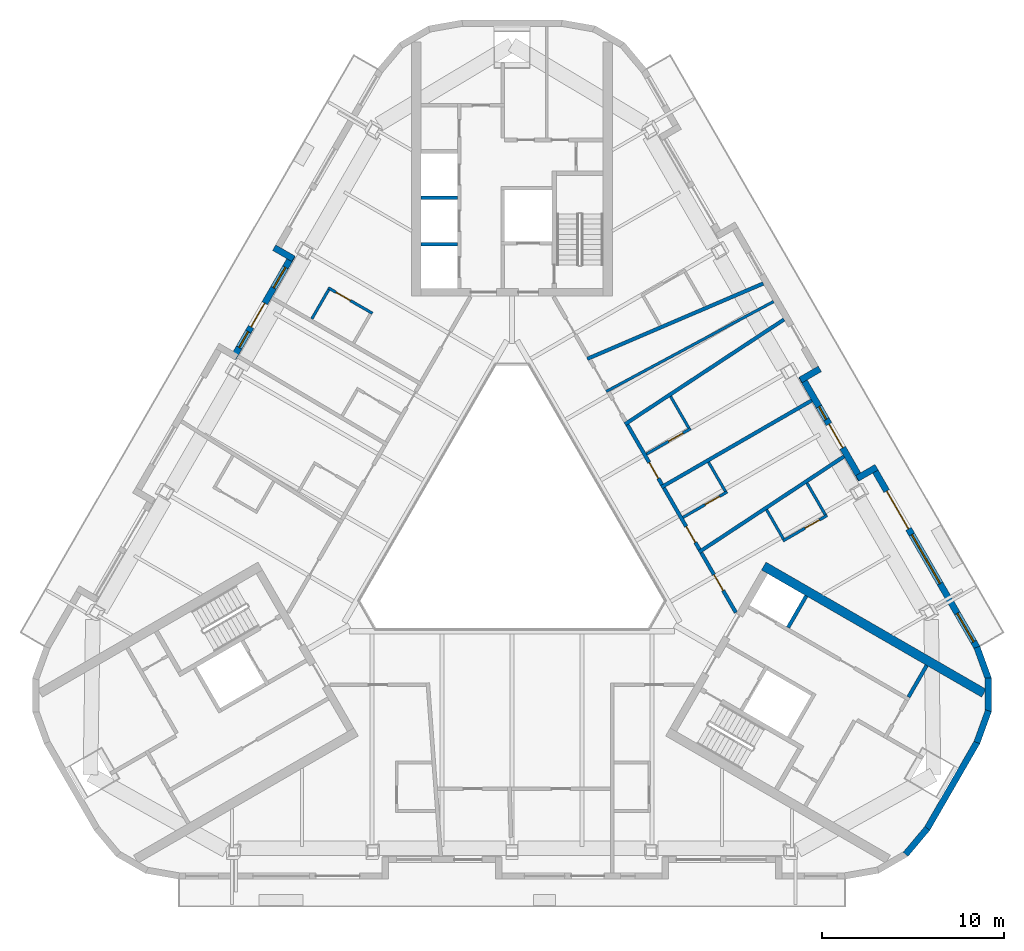
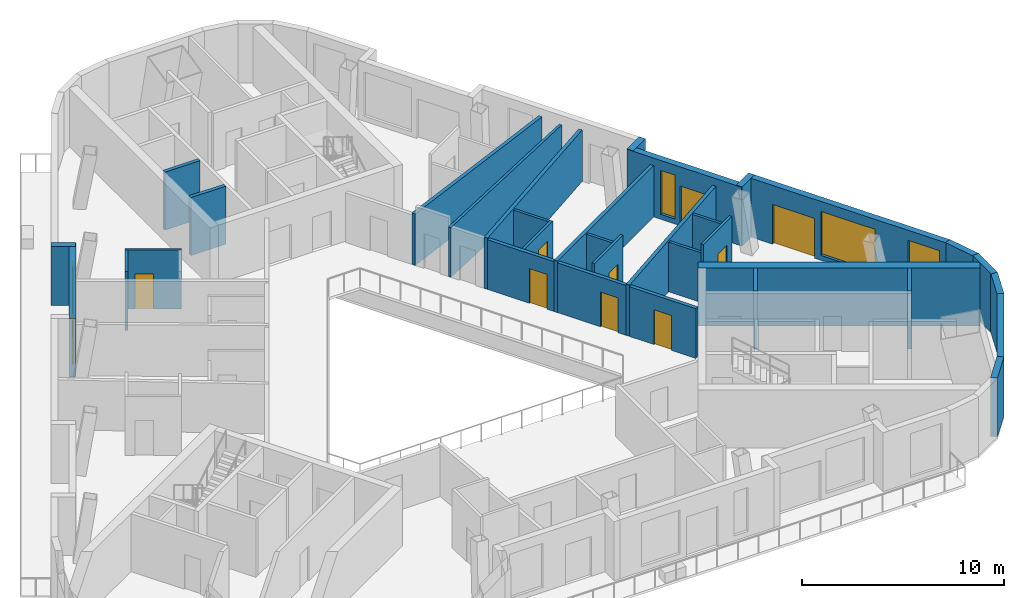
# One storey, part 6 of 14: 33 walls, 10 doors, 5 windows, 15 openings.
"""IFC4 building model written with IfcOpenShell, lengths in metres."""

from ifc_helpers import new_model, si_unit, direction, frame, frame_2d, origin, place, context, subcontext, project, spatial, rectangle, extrude, material, layer, layer_set, type_object, element, fill, save


model = new_model("IFC4")

# Units and contexts
model_context = context("Model", 3, precision=1e-05, world=origin(), true_north=direction((0.0, 1.0)))
body_context = subcontext(model_context, "Body", "Model", "MODEL_VIEW")
ifc_project = project(units=[si_unit("LENGTHUNIT", "METRE"), si_unit("AREAUNIT", "SQUARE_METRE"), si_unit("VOLUMEUNIT", "CUBIC_METRE"), si_unit("PLANEANGLEUNIT", "RADIAN"), si_unit("MASSUNIT", "GRAM", prefix="KILO")], contexts=[model_context])

# Site, building, storey
site_placement = place(None, origin())
site = spatial("IfcSite", under=ifc_project, at=site_placement, CompositionType="ELEMENT")
building_placement = place(site_placement, origin())
building = spatial("IfcBuilding", under=site, at=building_placement, Name="Apuvela Tower Hotel", CompositionType="ELEMENT")
storey_placement = place(building_placement, frame((0.0, 0.0, 265.199951171875)))
storey = spatial("IfcBuildingStorey", under=building, at=storey_placement, Name="L65", CompositionType="ELEMENT", Elevation=265.199951171875)

# Walls
ifc_material_1 = material(Name="Concrete C50/60", Category="concrete")
ifc_layer_1 = layer(ifc_material_1, 0.5)
ifc_layer_set_1 = layer_set([ifc_layer_1], Name="COR-WALL-CORE-500")
wall_type_1 = type_object("IfcWallType", Name="COR-WALL-CORE-500", PredefinedType="SHEAR", material=ifc_layer_set_1)
wall_1_placement = place(storey_placement, frame((13.796630859375, -1.9033203125, 0.0), z_axis=(0.0, 0.0, 1.0), x_axis=(0.86602744543, -0.49999646375, 0.0)))
element("IfcWall", 1, at=wall_1_placement, inside=storey, type_object=wall_type_1, Name="Core wall SE", PredefinedType="SHEAR", context=body_context, shape_type="SweptSolid", body=[
    extrude(rectangle(XDim=13.93408203125, YDim=0.5, at=frame_2d((6.967041015625, 0.0))), origin(), (0.0, 0.0, 1.0), 3.5),
])
ifc_layer_2 = layer(ifc_material_1, 0.199951171875)
ifc_layer_set_2 = layer_set([ifc_layer_2], Name="COR-WALL-SHAFT-200")
wall_type_2 = type_object("IfcWallType", Name="COR-WALL-SHAFT-200", PredefinedType="SHEAR", material=ifc_layer_set_2)
for number, where, z_axis, x_axis, name in (
    (2, (-3.0, 15.739990234375, 0.0), (0.0, 0.0, 1.0), (-1.0, 0.0, 0.0), "Shaft wall N"),
    (3, (-3.0, 18.280029296875, 0.0), (0.0, 0.0, 1.0), (-1.0, 0.0, 0.0), "Shaft wall N"),
    (4, (15.131103515625, -5.27197265625, 0.0), (0.0, 0.0, 1.0), (0.499972520799, 0.866041268327, 0.0), "Shaft wall SE"),
    (5, (21.73046875, -9.081787109375, 0.0), (0.0, 0.0, 1.0), (0.50002537861, 0.866010750942, 0.0), "Shaft wall SE"),
):
    element("IfcWall", number, at=place(storey_placement, frame(where, z_axis=z_axis, x_axis=x_axis)), inside=storey, type_object=wall_type_2, Name=name, PredefinedType="SHEAR", context=body_context, shape_type="SweptSolid", body=[
        extrude(rectangle(XDim=2.0, YDim=0.199951171875, at=frame_2d((1.0, 0.0))), origin(), (0.0, 0.0, 1.0), 3.5),
    ])
ifc_material_2 = material(Name="Concrete C40/50, dark pigmented precast panel", Category="concrete")
ifc_layer_3 = layer(ifc_material_2, 0.35009765625)
ifc_layer_set_3 = layer_set([ifc_layer_3], Name="ENV-WALL-350")
wall_type_3 = type_object("IfcWallType", Name="ENV-WALL-350", PredefinedType="SOLIDWALL", material=ifc_layer_set_3)
wall_2_placement = place(storey_placement, frame((-13.03564453125, 15.547607421875, 0.0), z_axis=(0.0, 0.0, 1.0), x_axis=(0.866005645448, -0.500034220881, 0.0)))
element("IfcWall", 6, at=wall_2_placement, inside=storey, type_object=wall_type_3, Name="External wall L65-02", PredefinedType="SOLIDWALL", context=body_context, shape_type="SweptSolid", body=[
    extrude(rectangle(XDim=1.22021484375, YDim=0.35009765625, at=frame_2d((0.610107421875, 0.0))), origin(), (0.0, 0.0, 1.0), 3.550048828125),
])

# Wall, openings, door, windows
wall_3_placement = place(storey_placement, frame((-12.031982421875, 15.1357421875, 0.0), z_axis=(0.0, 0.0, 1.0), x_axis=(-0.500005870429, -0.866022014464, 0.0)))
wall_3 = element("IfcWall", 7, at=wall_3_placement, inside=storey, type_object=wall_type_3, Name="External wall L65-03", PredefinedType="SOLIDWALL", context=body_context, shape_type="SweptSolid", body=[
    extrude(rectangle(XDim=6.51220703125, YDim=0.35009765625, at=frame_2d((3.256103515625, 0.0))), origin(), (0.0, 0.0, 1.0), 3.550048828125),
])
opening_1_placement = place(wall_3_placement, frame((0.77001953125, 0.0, 0.300048828125)))
opening_1 = element("IfcOpeningElement", 8, at=opening_1_placement, cuts=wall_3, Name="Opening WN13", PredefinedType="OPENING", context=body_context, shape_type="SweptSolid", body=[
    extrude(rectangle(XDim=1.300048828125, YDim=2.64990234375, at=frame_2d((0.64990234375, 1.324951171875))), frame((0.0, 0.18505859375, 0.0), z_axis=(0.0, -1.0, 0.0), x_axis=(1.0, 0.0, 0.0)), (0.0, 0.0, 1.0), 0.3701171875),
])
opening_2_placement = place(wall_3_placement, frame((3.0419921875, 0.0, 0.0)))
opening_2 = element("IfcOpeningElement", 9, at=opening_2_placement, cuts=wall_3, Name="Opening BD15", PredefinedType="OPENING", context=body_context, shape_type="SweptSolid", body=[
    extrude(rectangle(XDim=1.5, YDim=2.39990234375, at=frame_2d((0.75, 1.199951171875))), frame((0.0, 0.18505859375, 0.0), z_axis=(0.0, -1.0, 0.0), x_axis=(1.0, 0.0, 0.0)), (0.0, 0.0, 1.0), 0.3701171875),
])
opening_3_placement = place(wall_3_placement, frame((4.842041015625, 0.0, 0.300048828125)))
opening_3 = element("IfcOpeningElement", 10, at=opening_3_placement, cuts=wall_3, Name="Opening WN10", PredefinedType="OPENING", context=body_context, shape_type="SweptSolid", body=[
    extrude(rectangle(XDim=1.0, YDim=2.64990234375, at=frame_2d((0.5, 1.324951171875))), frame((0.0, 0.18505859375, 0.0), z_axis=(0.0, -1.0, 0.0), x_axis=(1.0, 0.0, 0.0)), (0.0, 0.0, 1.0), 0.3701171875),
])
ifc_material_3 = material(Name="Aluminium 6063-T6, dark bronze anodised frame with dark tinted laminated glass", Category="aluminium")
door_type_1 = type_object("IfcDoorType", Name="ENV-DOOR-BALCONY-1500x2400", OperationType="SLIDING_TO_LEFT", PredefinedType="DOOR", material=ifc_material_3)
door_1_placement = place(opening_2_placement, frame((1.5, 0.0, 0.0), z_axis=(0.0, 0.0, 1.0), x_axis=(-1.0, 0.0, 0.0)))
door_1 = element("IfcDoor", 11, at=door_1_placement, inside=storey, type_object=door_type_1, Name="Balcony door BD15", OperationType="SLIDING_TO_LEFT", OverallHeight=2.39990234375, OverallWidth=1.5, PredefinedType="DOOR", context=body_context, shape_type="SweptSolid", body=[
    extrude(rectangle(XDim=1.5, YDim=2.39990234375, at=frame_2d((0.75, 1.199951171875))), frame((0.0, 0.02490234375, 0.0), z_axis=(0.0, -1.0, 0.0), x_axis=(1.0, 0.0, 0.0)), (0.0, 0.0, 1.0), 0.050048828125),
])
fill(opening_2, door_1)
ifc_material_4 = material(Name="Glass, dark tinted laminated insulated glazing unit", Category="glass")
window_type_1 = type_object("IfcWindowType", Name="ENV-WIN-1000x2650", PartitioningType="SINGLE_PANEL", PredefinedType="WINDOW", material=ifc_material_4)
window_1_placement = place(opening_3_placement, origin())
window_1 = element("IfcWindow", 12, at=window_1_placement, inside=storey, type_object=window_type_1, Name="Window WN10", OverallHeight=2.64990234375, OverallWidth=1.0, PartitioningType="SINGLE_PANEL", PredefinedType="WINDOW", context=body_context, shape_type="SweptSolid", body=[
    extrude(rectangle(XDim=1.0, YDim=2.64990234375, at=frame_2d((0.5, 1.324951171875))), frame((0.0, 0.030029296875, 0.0), z_axis=(0.0, -1.0, 0.0), x_axis=(1.0, 0.0, 0.0)), (0.0, 0.0, 1.0), 0.06005859375),
])
fill(opening_3, window_1)
window_type_2 = type_object("IfcWindowType", Name="ENV-WIN-1300x2650", PartitioningType="SINGLE_PANEL", PredefinedType="WINDOW", material=ifc_material_4)
window_2_placement = place(opening_1_placement, origin())
window_2 = element("IfcWindow", 13, at=window_2_placement, inside=storey, type_object=window_type_2, Name="Window WN13", OverallHeight=2.64990234375, OverallWidth=1.300048828125, PartitioningType="SINGLE_PANEL", PredefinedType="WINDOW", context=body_context, shape_type="SweptSolid", body=[
    extrude(rectangle(XDim=1.300048828125, YDim=2.64990234375, at=frame_2d((0.64990234375, 1.324951171875))), frame((0.0, 0.030029296875, 0.0), z_axis=(0.0, -1.0, 0.0), x_axis=(1.0, 0.0, 0.0)), (0.0, 0.0, 1.0), 0.06005859375),
])
fill(opening_1, window_2)

# Walls
wall_4_placement = place(storey_placement, frame((21.571533203125, -17.70068359375, 0.0), z_axis=(0.0, 0.0, 1.0), x_axis=(0.642744363867, 0.76608072859, 0.0)))
element("IfcWall", 14, at=wall_4_placement, inside=storey, type_object=wall_type_3, Name="External wall L65-28", PredefinedType="SOLIDWALL", context=body_context, shape_type="SweptSolid", body=[
    extrude(rectangle(XDim=1.854736328125, YDim=0.35009765625, at=frame_2d((0.92724609375, 0.0))), origin(), (0.0, 0.0, 1.0), 3.550048828125),
])
wall_5_placement = place(storey_placement, frame((22.74609375, -16.304931640625, 0.0), z_axis=(0.0, 0.0, 1.0), x_axis=(0.500028854569, 0.86600874395, 0.0)))
element("IfcWall", 15, at=wall_5_placement, inside=storey, type_object=wall_type_3, Name="External wall L65-29", PredefinedType="SOLIDWALL", context=body_context, shape_type="SweptSolid", body=[
    extrude(rectangle(XDim=5.494873046875, YDim=0.35009765625, at=frame_2d((2.74755859375, 0.0))), origin(), (0.0, 0.0, 1.0), 3.550048828125),
])
wall_6_placement = place(storey_placement, frame((25.480712890625, -11.57421875, 0.0), z_axis=(0.0, 0.0, 1.0), x_axis=(0.341890986265, 0.93973962006, 0.0)))
element("IfcWall", 16, at=wall_6_placement, inside=storey, type_object=wall_type_3, Name="External wall L65-30", PredefinedType="SOLIDWALL", context=body_context, shape_type="SweptSolid", body=[
    extrude(rectangle(XDim=1.855224609375, YDim=0.35009765625, at=frame_2d((0.927734375, 0.0))), origin(), (0.0, 0.0, 1.0), 3.550048828125),
])
for number, where, z_axis, x_axis, name in (
    (17, (26.1044921875, -9.890869140625, 0.0), (0.0, 0.0, 1.0), (0.0, 1.0, 0.0), "External wall L65-31"),
    (18, (26.114990234375, -8.095703125, 0.0), (0.0, 0.0, 1.0), (-0.341933271996, 0.939724234817, 0.0), "External wall L65-32"),
):
    element("IfcWall", number, at=place(storey_placement, frame(where, z_axis=z_axis, x_axis=x_axis)), inside=storey, type_object=wall_type_3, Name=name, PredefinedType="SOLIDWALL", context=body_context, shape_type="SweptSolid", body=[
        extrude(rectangle(XDim=1.85498046875, YDim=0.35009765625, at=frame_2d((0.927490234375, 0.0))), origin(), (0.0, 0.0, 1.0), 3.550048828125),
    ])

# Wall, openings, door, windows
wall_7_placement = place(storey_placement, frame((25.49365234375, -6.38037109375, 0.0), z_axis=(0.0, 0.0, 1.0), x_axis=(-0.499999932627, 0.866025442683, 0.0)))
wall_7 = element("IfcWall", 19, at=wall_7_placement, inside=storey, type_object=wall_type_3, Name="External wall L65-33", PredefinedType="SOLIDWALL", context=body_context, shape_type="SweptSolid", body=[
    extrude(rectangle(XDim=11.50048828125, YDim=0.35009765625, at=frame_2d((5.750244140625, 0.0))), origin(), (0.0, 0.0, 1.0), 3.550048828125),
])
opening_4_placement = place(wall_7_placement, frame((0.380126953125, 0.0, 0.300048828125)))
opening_4 = element("IfcOpeningElement", 20, at=opening_4_placement, cuts=wall_7, Name="Opening WN18", PredefinedType="OPENING", context=body_context, shape_type="SweptSolid", body=[
    extrude(rectangle(XDim=1.800048828125, YDim=2.64990234375, at=frame_2d((0.89990234375, 1.324951171875))), frame((0.0, 0.18505859375, 0.0), z_axis=(0.0, -1.0, 0.0), x_axis=(1.0, 0.0, 0.0)), (0.0, 0.0, 1.0), 0.3701171875),
])
opening_5_placement = place(wall_7_placement, frame((7.52099609375, 0.0, 0.0)))
opening_5 = element("IfcOpeningElement", 21, at=opening_5_placement, cuts=wall_7, Name="Opening BD24", PredefinedType="OPENING", context=body_context, shape_type="SweptSolid", body=[
    extrude(rectangle(XDim=2.39990234375, YDim=2.39990234375, at=frame_2d((1.199951171875, 1.199951171875))), frame((0.0, 0.18505859375, 0.0), z_axis=(0.0, -1.0, 0.0), x_axis=(1.0, 0.0, 0.0)), (0.0, 0.0, 1.0), 0.3701171875),
])
opening_6_placement = place(wall_7_placement, frame((4.06689453125, 0.0, 0.300048828125)))
opening_6 = element("IfcOpeningElement", 22, at=opening_6_placement, cuts=wall_7, Name="Opening WN31", PredefinedType="OPENING", context=body_context, shape_type="SweptSolid", body=[
    extrude(rectangle(XDim=3.10009765625, YDim=2.64990234375, at=frame_2d((1.550048828125, 1.324951171875))), frame((0.0, 0.18505859375, 0.0), z_axis=(0.0, -1.0, 0.0), x_axis=(1.0, 0.0, 0.0)), (0.0, 0.0, 1.0), 0.3701171875),
])
door_type_2 = type_object("IfcDoorType", Name="ENV-DOOR-BALCONY-2400x2400", OperationType="SLIDING_TO_LEFT", PredefinedType="DOOR", material=ifc_material_3)
door_2_placement = place(opening_5_placement, frame((2.39990234375, 0.0, 0.0), z_axis=(0.0, 0.0, 1.0), x_axis=(-1.0, 0.0, 0.0)))
door_2 = element("IfcDoor", 23, at=door_2_placement, inside=storey, type_object=door_type_2, Name="Balcony door BD24", OperationType="SLIDING_TO_LEFT", OverallHeight=2.39990234375, OverallWidth=2.39990234375, PredefinedType="DOOR", context=body_context, shape_type="SweptSolid", body=[
    extrude(rectangle(XDim=2.39990234375, YDim=2.39990234375, at=frame_2d((1.199951171875, 1.199951171875))), frame((0.0, 0.02490234375, 0.0), z_axis=(0.0, -1.0, 0.0), x_axis=(1.0, 0.0, 0.0)), (0.0, 0.0, 1.0), 0.050048828125),
])
fill(opening_5, door_2)
window_type_3 = type_object("IfcWindowType", Name="ENV-WIN-1800x2650", PartitioningType="SINGLE_PANEL", PredefinedType="WINDOW", material=ifc_material_4)
window_3_placement = place(opening_4_placement, origin())
window_3 = element("IfcWindow", 24, at=window_3_placement, inside=storey, type_object=window_type_3, Name="Window WN18", OverallHeight=2.64990234375, OverallWidth=1.800048828125, PartitioningType="SINGLE_PANEL", PredefinedType="WINDOW", context=body_context, shape_type="SweptSolid", body=[
    extrude(rectangle(XDim=1.800048828125, YDim=2.64990234375, at=frame_2d((0.89990234375, 1.324951171875))), frame((0.0, 0.030029296875, 0.0), z_axis=(0.0, -1.0, 0.0), x_axis=(1.0, 0.0, 0.0)), (0.0, 0.0, 1.0), 0.06005859375),
])
fill(opening_4, window_3)
window_type_4 = type_object("IfcWindowType", Name="ENV-WIN-3100x2650", PartitioningType="SINGLE_PANEL", PredefinedType="WINDOW", material=ifc_material_4)
window_4_placement = place(opening_6_placement, origin())
window_4 = element("IfcWindow", 25, at=window_4_placement, inside=storey, type_object=window_type_4, Name="Window WN31", OverallHeight=2.64990234375, OverallWidth=3.10009765625, PartitioningType="SINGLE_PANEL", PredefinedType="WINDOW", context=body_context, shape_type="SweptSolid", body=[
    extrude(rectangle(XDim=3.10009765625, YDim=2.64990234375, at=frame_2d((1.550048828125, 1.324951171875))), frame((0.0, 0.030029296875, 0.0), z_axis=(0.0, -1.0, 0.0), x_axis=(1.0, 0.0, 0.0)), (0.0, 0.0, 1.0), 0.06005859375),
])
fill(opening_6, window_4)

# Wall
wall_8_placement = place(storey_placement, frame((19.982421875, 3.515380859375, 0.0), z_axis=(0.0, 0.0, 1.0), x_axis=(-0.866092288191, -0.499884134912, 0.0)))
element("IfcWall", 26, at=wall_8_placement, inside=storey, type_object=wall_type_3, Name="External wall L65-34", PredefinedType="SOLIDWALL", context=body_context, shape_type="SweptSolid", body=[
    extrude(rectangle(XDim=1.219970703125, YDim=0.35009765625, at=frame_2d((0.60986328125, 0.0))), origin(), (0.0, 0.0, 1.0), 3.550048828125),
])

# Wall, openings, door, window
wall_9_placement = place(storey_placement, frame((19.123779296875, 2.852294921875, 0.0), z_axis=(0.0, 0.0, 1.0), x_axis=(-0.499993986225, 0.866028875811, 0.0)))
wall_9 = element("IfcWall", 27, at=wall_9_placement, inside=storey, type_object=wall_type_3, Name="External wall L65-35", PredefinedType="SOLIDWALL", context=body_context, shape_type="SweptSolid", body=[
    extrude(rectangle(XDim=6.51171875, YDim=0.35009765625, at=frame_2d((3.255859375, 0.0))), origin(), (0.0, 0.0, 1.0), 3.550048828125),
])
opening_7_placement = place(wall_9_placement, frame((1.997314453125, 0.0, 0.0)))
opening_7 = element("IfcOpeningElement", 28, at=opening_7_placement, cuts=wall_9, Name="Opening BD15", PredefinedType="OPENING", context=body_context, shape_type="SweptSolid", body=[
    extrude(rectangle(XDim=1.5, YDim=2.39990234375, at=frame_2d((0.75, 1.199951171875))), frame((0.0, 0.18505859375, 0.0), z_axis=(0.0, -1.0, 0.0), x_axis=(1.0, 0.0, 0.0)), (0.0, 0.0, 1.0), 0.3701171875),
])
opening_8_placement = place(wall_9_placement, frame((3.79736328125, 0.0, 0.300048828125)))
opening_8 = element("IfcOpeningElement", 29, at=opening_8_placement, cuts=wall_9, Name="Opening WN08", PredefinedType="OPENING", context=body_context, shape_type="SweptSolid", body=[
    extrude(rectangle(XDim=0.800048828125, YDim=2.64990234375, at=frame_2d((0.39990234375, 1.324951171875))), frame((0.0, 0.18505859375, 0.0), z_axis=(0.0, -1.0, 0.0), x_axis=(1.0, 0.0, 0.0)), (0.0, 0.0, 1.0), 0.3701171875),
])
door_3_placement = place(opening_7_placement, frame((1.5, 0.0, 0.0), z_axis=(0.0, 0.0, 1.0), x_axis=(-1.0, 0.0, 0.0)))
door_3 = element("IfcDoor", 30, at=door_3_placement, inside=storey, type_object=door_type_1, Name="Balcony door BD15", OperationType="SLIDING_TO_LEFT", OverallHeight=2.39990234375, OverallWidth=1.5, PredefinedType="DOOR", context=body_context, shape_type="SweptSolid", body=[
    extrude(rectangle(XDim=1.5, YDim=2.39990234375, at=frame_2d((0.75, 1.199951171875))), frame((0.0, 0.02490234375, 0.0), z_axis=(0.0, -1.0, 0.0), x_axis=(1.0, 0.0, 0.0)), (0.0, 0.0, 1.0), 0.050048828125),
])
fill(opening_7, door_3)
window_type_5 = type_object("IfcWindowType", Name="ENV-WIN-800x2650", PartitioningType="SINGLE_PANEL", PredefinedType="WINDOW", material=ifc_material_4)
window_5_placement = place(opening_8_placement, origin())
window_5 = element("IfcWindow", 31, at=window_5_placement, inside=storey, type_object=window_type_5, Name="Window WN08", OverallHeight=2.64990234375, OverallWidth=0.800048828125, PartitioningType="SINGLE_PANEL", PredefinedType="WINDOW", context=body_context, shape_type="SweptSolid", body=[
    extrude(rectangle(XDim=0.800048828125, YDim=2.64990234375, at=frame_2d((0.39990234375, 1.324951171875))), frame((0.0, 0.030029296875, 0.0), z_axis=(0.0, -1.0, 0.0), x_axis=(1.0, 0.0, 0.0)), (0.0, 0.0, 1.0), 0.06005859375),
])
fill(opening_8, window_5)

# Walls
wall_10_placement = place(storey_placement, frame((15.814697265625, 8.293701171875, 0.0), z_axis=(0.0, 0.0, 1.0), x_axis=(0.866055662726, 0.499947586314, 0.0)))
element("IfcWall", 32, at=wall_10_placement, inside=storey, type_object=wall_type_3, Name="External wall L65-36", PredefinedType="SOLIDWALL", context=body_context, shape_type="SweptSolid", body=[
    extrude(rectangle(XDim=1.220458984375, YDim=0.35009765625, at=frame_2d((0.6103515625, 0.0))), origin(), (0.0, 0.0, 1.0), 3.550048828125),
])
ifc_material_5 = material(Name="Gypsum board partition on twin steel stud", Category="steel")
ifc_layer_4 = layer(ifc_material_5, 0.199951171875)
ifc_layer_set_4 = layer_set([ifc_layer_4], Name="GST-PW1")
wall_type_4 = type_object("IfcWallType", Name="GST-PW1", PredefinedType="PARTITIONING", material=ifc_layer_set_4)
wall_11_placement = place(storey_placement, frame((18.1982421875, 4.10546875, 0.0), z_axis=(0.0, 0.0, 1.0), x_axis=(-0.83467370746, -0.550744770356, 0.0)))
element("IfcWall", 33, at=wall_11_placement, inside=storey, type_object=wall_type_4, Name="L65 partition 04", PredefinedType="PARTITIONING", context=body_context, shape_type="SweptSolid", body=[
    extrude(rectangle(XDim=9.52978515625, YDim=0.199951171875, at=frame_2d((4.764892578125, 0.0))), origin(), (0.0, 0.0, 1.0), 3.10009765625),
])
wall_12_placement = place(storey_placement, frame((16.426513671875, 7.17431640625, 0.0), z_axis=(0.0, 0.0, 1.0), x_axis=(-0.866033014143, -0.499986818241, 0.0)))
element("IfcWall", 34, at=wall_12_placement, inside=storey, type_object=wall_type_4, Name="L65 partition 05", PredefinedType="PARTITIONING", context=body_context, shape_type="SweptSolid", body=[
    extrude(rectangle(XDim=9.512939453125, YDim=0.199951171875, at=frame_2d((4.75634765625, 0.0))), origin(), (0.0, 0.0, 1.0), 3.10009765625),
])
wall_13_placement = place(storey_placement, frame((14.906005859375, 11.608154296875, 0.0), z_axis=(0.0, 0.0, 1.0), x_axis=(-0.835212554653, -0.549927257507, 0.0)))
element("IfcWall", 35, at=wall_13_placement, inside=storey, type_object=wall_type_4, Name="L65 partition 06", PredefinedType="PARTITIONING", context=body_context, shape_type="SweptSolid", body=[
    extrude(rectangle(XDim=10.43115234375, YDim=0.199951171875, at=frame_2d((5.215576171875, 0.0))), origin(), (0.0, 0.0, 1.0), 3.10009765625),
])
wall_14_placement = place(storey_placement, frame((13.765869140625, 13.582763671875, 0.0), z_axis=(0.0, 0.0, 1.0), x_axis=(-0.919210042537, -0.393767568115, 0.0)))
element("IfcWall", 36, at=wall_14_placement, inside=storey, type_object=wall_type_4, Name="L65 partition 07", PredefinedType="PARTITIONING", context=body_context, shape_type="SweptSolid", body=[
    extrude(rectangle(XDim=10.48681640625, YDim=0.199951171875, at=frame_2d((5.243408203125, 0.0))), origin(), (0.0, 0.0, 1.0), 3.10009765625),
])

# Wall, opening, door
ifc_material_6 = material(Name="Gypsum board corridor wall on twin steel stud, acoustic", Category="steel")
ifc_layer_5 = layer(ifc_material_6, 0.199951171875)
ifc_layer_set_5 = layer_set([ifc_layer_5], Name="GST-PW2")
wall_type_5 = type_object("IfcWallType", Name="GST-PW2", PredefinedType="PARTITIONING", material=ifc_layer_set_5)
wall_15_placement = place(storey_placement, frame((10.377685546875, -1.1748046875, 0.0), z_axis=(0.0, 0.0, 1.0), x_axis=(0.50004096614, -0.86600175068, 0.0)))
wall_15 = element("IfcWall", 37, at=wall_15_placement, inside=storey, type_object=wall_type_5, Name="L65 partition 21", PredefinedType="PARTITIONING", context=body_context, shape_type="SweptSolid", body=[
    extrude(rectangle(XDim=3.781982421875, YDim=0.199951171875, at=frame_2d((1.89111328125, 0.0))), origin(), (0.0, 0.0, 1.0), 3.0),
])
opening_9_placement = place(wall_15_placement, frame((1.39111328125, 0.0, 0.0)))
opening_9 = element("IfcOpeningElement", 38, at=opening_9_placement, cuts=wall_15, Name="Opening GD25-08", PredefinedType="OPENING", context=body_context, shape_type="SweptSolid", body=[
    extrude(rectangle(XDim=1.0, YDim=2.10009765625, at=frame_2d((0.5, 1.050048828125))), frame((0.0, 0.10986328125, 0.0), z_axis=(0.0, -1.0, 0.0), x_axis=(1.0, 0.0, 0.0)), (0.0, 0.0, 1.0), 0.219970703125),
])
ifc_material_7 = material(Name="Timber door leaf in steel frame", Category="steel")
door_type_3 = type_object("IfcDoorType", Name="GST-D1", OperationType="NOTDEFINED", PredefinedType="DOOR", material=ifc_material_7)
door_4_placement = place(opening_9_placement, origin())
door_4 = element("IfcDoor", 39, at=door_4_placement, inside=storey, type_object=door_type_3, Name="Door L65-08", OperationType="SINGLE_SWING_LEFT", OverallHeight=2.10009765625, OverallWidth=1.0, PredefinedType="DOOR", context=body_context, shape_type="SweptSolid", body=[
    extrude(rectangle(XDim=1.0, YDim=2.10009765625, at=frame_2d((0.5, 1.050048828125))), frame((0.0, 0.02490234375, 0.0), z_axis=(0.0, -1.0, 0.0), x_axis=(1.0, 0.0, 0.0)), (0.0, 0.0, 1.0), 0.050048828125),
])
fill(opening_9, door_4)

wall_16_placement = place(storey_placement, frame((8.32470703125, 2.38134765625, 0.0), z_axis=(0.0, 0.0, 1.0), x_axis=(0.499991187483, -0.866030491634, 0.0)))
wall_16 = element("IfcWall", 40, at=wall_16_placement, inside=storey, type_object=wall_type_5, Name="L65 partition 25", PredefinedType="PARTITIONING", context=body_context, shape_type="SweptSolid", body=[
    extrude(rectangle(XDim=3.90576171875, YDim=0.199951171875, at=frame_2d((1.952880859375, 0.0))), origin(), (0.0, 0.0, 1.0), 3.0),
])
opening_10_placement = place(wall_16_placement, frame((2.449951171875, 0.0, 0.0)))
opening_10 = element("IfcOpeningElement", 41, at=opening_10_placement, cuts=wall_16, Name="Opening GD25-10", PredefinedType="OPENING", context=body_context, shape_type="SweptSolid", body=[
    extrude(rectangle(XDim=1.0, YDim=2.10009765625, at=frame_2d((0.5, 1.050048828125))), frame((0.0, 0.10986328125, 0.0), z_axis=(0.0, -1.0, 0.0), x_axis=(1.0, 0.0, 0.0)), (0.0, 0.0, 1.0), 0.219970703125),
])
door_5_placement = place(opening_10_placement, origin())
door_5 = element("IfcDoor", 42, at=door_5_placement, inside=storey, type_object=door_type_3, Name="Door L65-10", OperationType="SINGLE_SWING_RIGHT", OverallHeight=2.10009765625, OverallWidth=1.0, PredefinedType="DOOR", context=body_context, shape_type="SweptSolid", body=[
    extrude(rectangle(XDim=1.0, YDim=2.10009765625, at=frame_2d((0.5, 1.050048828125))), frame((0.0, 0.02490234375, 0.0), z_axis=(0.0, -1.0, 0.0), x_axis=(1.0, 0.0, 0.0)), (0.0, 0.0, 1.0), 0.050048828125),
])
fill(opening_10, door_5)

wall_17_placement = place(storey_placement, frame((6.32763671875, 5.840087890625, 0.0), z_axis=(0.0, 0.0, 1.0), x_axis=(0.50002883476, -0.866008755388, 0.0)))
wall_17 = element("IfcWall", 43, at=wall_17_placement, inside=storey, type_object=wall_type_5, Name="L65 partition 28", PredefinedType="PARTITIONING", context=body_context, shape_type="SweptSolid", body=[
    extrude(rectangle(XDim=3.793701171875, YDim=0.199951171875, at=frame_2d((1.89697265625, 0.0))), origin(), (0.0, 0.0, 1.0), 3.0),
])
opening_11_placement = place(wall_17_placement, frame((2.39111328125, 0.0, 0.0)))
opening_11 = element("IfcOpeningElement", 44, at=opening_11_placement, cuts=wall_17, Name="Opening GD25-12", PredefinedType="OPENING", context=body_context, shape_type="SweptSolid", body=[
    extrude(rectangle(XDim=1.0, YDim=2.10009765625, at=frame_2d((0.5, 1.050048828125))), frame((0.0, 0.10986328125, 0.0), z_axis=(0.0, -1.0, 0.0), x_axis=(1.0, 0.0, 0.0)), (0.0, 0.0, 1.0), 0.219970703125),
])
door_6_placement = place(opening_11_placement, origin())
door_6 = element("IfcDoor", 45, at=door_6_placement, inside=storey, type_object=door_type_3, Name="Door L65-12", OperationType="SINGLE_SWING_RIGHT", OverallHeight=2.10009765625, OverallWidth=1.0, PredefinedType="DOOR", context=body_context, shape_type="SweptSolid", body=[
    extrude(rectangle(XDim=1.0, YDim=2.10009765625, at=frame_2d((0.5, 1.050048828125))), frame((0.0, 0.02490234375, 0.0), z_axis=(0.0, -1.0, 0.0), x_axis=(1.0, 0.0, 0.0)), (0.0, 0.0, 1.0), 0.050048828125),
])
fill(opening_11, door_6)

ifc_material_8 = material(Name="Moisture-resistant gypsum board wet wall on steel stud", Category="steel")
ifc_layer_6 = layer(ifc_material_8, 0.14990234375)
ifc_layer_set_6 = layer_set([ifc_layer_6], Name="GST-PW3")
wall_type_6 = type_object("IfcWallType", Name="GST-PW3", PredefinedType="PARTITIONING", material=ifc_layer_set_6)
wall_18_placement = place(storey_placement, frame((14.85205078125, -0.5244140625, 0.0), z_axis=(0.0, 0.0, 1.0), x_axis=(0.866034573852, 0.49998411664, 0.0)))
wall_18 = element("IfcWall", 46, at=wall_18_placement, inside=storey, type_object=wall_type_6, Name="L65 partition 22", PredefinedType="PARTITIONING", context=body_context, shape_type="SweptSolid", body=[
    extrude(rectangle(XDim=2.7998046875, YDim=0.14990234375, at=frame_2d((1.39990234375, 0.0))), origin(), (0.0, 0.0, 1.0), 3.550048828125),
])
opening_12_placement = place(wall_18_placement, frame((1.39990234375, 0.0, 0.0)))
opening_12 = element("IfcOpeningElement", 47, at=opening_12_placement, cuts=wall_18, Name="Opening GD25-07", PredefinedType="OPENING", context=body_context, shape_type="SweptSolid", body=[
    extrude(rectangle(XDim=0.89990234375, YDim=2.10009765625, at=frame_2d((0.449951171875, 1.050048828125))), frame((0.0, 0.0849609375, 0.0), z_axis=(0.0, -1.0, 0.0), x_axis=(1.0, 0.0, 0.0)), (0.0, 0.0, 1.0), 0.169921875),
])
door_type_4 = type_object("IfcDoorType", Name="GST-D2", OperationType="NOTDEFINED", PredefinedType="DOOR", material=ifc_material_7)
door_7_placement = place(opening_12_placement, origin())
door_7 = element("IfcDoor", 48, at=door_7_placement, inside=storey, type_object=door_type_4, Name="Door L65-07", OperationType="SINGLE_SWING_RIGHT", OverallHeight=2.10009765625, OverallWidth=0.89990234375, PredefinedType="DOOR", context=body_context, shape_type="SweptSolid", body=[
    extrude(rectangle(XDim=0.89990234375, YDim=2.10009765625, at=frame_2d((0.449951171875, 1.050048828125))), frame((0.0, 0.02490234375, 0.0), z_axis=(0.0, -1.0, 0.0), x_axis=(1.0, 0.0, 0.0)), (0.0, 0.0, 1.0), 0.050048828125),
])
fill(opening_12, door_7)

# Walls
wall_19_placement = place(storey_placement, frame((17.174560546875, 0.90283203125, 0.0), z_axis=(0.0, 0.0, 1.0), x_axis=(-0.499974444137, 0.866040157966, 0.0)))
element("IfcWall", 49, at=wall_19_placement, inside=storey, type_object=wall_type_6, Name="L65 partition 23", PredefinedType="PARTITIONING", context=body_context, shape_type="SweptSolid", body=[
    extrude(rectangle(XDim=2.0126953125, YDim=0.14990234375, at=frame_2d((1.00634765625, 0.0))), origin(), (0.0, 0.0, 1.0), 3.0),
])
wall_20_placement = place(storey_placement, frame((14.87939453125, -0.422119140625, 0.0), z_axis=(0.0, 0.0, 1.0), x_axis=(-0.499920006315, 0.866071583234, 0.0)))
element("IfcWall", 50, at=wall_20_placement, inside=storey, type_object=wall_type_6, Name="L65 partition 24", PredefinedType="PARTITIONING", context=body_context, shape_type="SweptSolid", body=[
    extrude(rectangle(XDim=1.854248046875, YDim=0.14990234375, at=frame_2d((0.92724609375, 0.0))), origin(), (0.0, 0.0, 1.0), 3.0),
])

# Wall, opening, door
wall_21_placement = place(storey_placement, frame((9.373779296875, 0.76416015625, 0.0), z_axis=(0.0, 0.0, 1.0), x_axis=(0.865996816683, 0.500049511043, 0.0)))
wall_21 = element("IfcWall", 51, at=wall_21_placement, inside=storey, type_object=wall_type_6, Name="L65 partition 26", PredefinedType="PARTITIONING", context=body_context, shape_type="SweptSolid", body=[
    extrude(rectangle(XDim=2.800048828125, YDim=0.14990234375, at=frame_2d((1.39990234375, 0.0))), origin(), (0.0, 0.0, 1.0), 3.550048828125),
])
opening_13_placement = place(wall_21_placement, frame((1.39990234375, 0.0, 0.0)))
opening_13 = element("IfcOpeningElement", 52, at=opening_13_placement, cuts=wall_21, Name="Opening GD25-09", PredefinedType="OPENING", context=body_context, shape_type="SweptSolid", body=[
    extrude(rectangle(XDim=0.89990234375, YDim=2.10009765625, at=frame_2d((0.449951171875, 1.050048828125))), frame((0.0, 0.0849609375, 0.0), z_axis=(0.0, -1.0, 0.0), x_axis=(1.0, 0.0, 0.0)), (0.0, 0.0, 1.0), 0.169921875),
])
door_8_placement = place(opening_13_placement, origin())
door_8 = element("IfcDoor", 53, at=door_8_placement, inside=storey, type_object=door_type_4, Name="Door L65-09", OperationType="SINGLE_SWING_RIGHT", OverallHeight=2.10009765625, OverallWidth=0.89990234375, PredefinedType="DOOR", context=body_context, shape_type="SweptSolid", body=[
    extrude(rectangle(XDim=0.89990234375, YDim=2.10009765625, at=frame_2d((0.449951171875, 1.050048828125))), frame((0.0, 0.02490234375, 0.0), z_axis=(0.0, -1.0, 0.0), x_axis=(1.0, 0.0, 0.0)), (0.0, 0.0, 1.0), 0.050048828125),
])
fill(opening_13, door_8)

# Wall
wall_22_placement = place(storey_placement, frame((11.696044921875, 2.191650390625, 0.0), z_axis=(0.0, 0.0, 1.0), x_axis=(-0.500042316284, 0.866000971088, 0.0)))
element("IfcWall", 54, at=wall_22_placement, inside=storey, type_object=wall_type_6, Name="L65 partition 27", PredefinedType="PARTITIONING", context=body_context, shape_type="SweptSolid", body=[
    extrude(rectangle(XDim=1.849853515625, YDim=0.14990234375, at=frame_2d((0.9248046875, 0.0))), origin(), (0.0, 0.0, 1.0), 3.0),
])

# Wall, opening, door
wall_23_placement = place(storey_placement, frame((7.370849609375, 4.2333984375, 0.0), z_axis=(0.0, 0.0, 1.0), x_axis=(0.866034573852, 0.49998411664, 0.0)))
wall_23 = element("IfcWall", 55, at=wall_23_placement, inside=storey, type_object=wall_type_6, Name="L65 partition 29", PredefinedType="PARTITIONING", context=body_context, shape_type="SweptSolid", body=[
    extrude(rectangle(XDim=2.7998046875, YDim=0.14990234375, at=frame_2d((1.39990234375, 0.0))), origin(), (0.0, 0.0, 1.0), 3.0),
])
opening_14_placement = place(wall_23_placement, frame((1.39990234375, 0.0, 0.0)))
opening_14 = element("IfcOpeningElement", 56, at=opening_14_placement, cuts=wall_23, Name="Opening GD25-11", PredefinedType="OPENING", context=body_context, shape_type="SweptSolid", body=[
    extrude(rectangle(XDim=0.89990234375, YDim=2.10009765625, at=frame_2d((0.449951171875, 1.050048828125))), frame((0.0, 0.0849609375, 0.0), z_axis=(0.0, -1.0, 0.0), x_axis=(1.0, 0.0, 0.0)), (0.0, 0.0, 1.0), 0.169921875),
])
door_9_placement = place(opening_14_placement, origin())
door_9 = element("IfcDoor", 57, at=door_9_placement, inside=storey, type_object=door_type_4, Name="Door L65-11", OperationType="SINGLE_SWING_RIGHT", OverallHeight=2.10009765625, OverallWidth=0.89990234375, PredefinedType="DOOR", context=body_context, shape_type="SweptSolid", body=[
    extrude(rectangle(XDim=0.89990234375, YDim=2.10009765625, at=frame_2d((0.449951171875, 1.050048828125))), frame((0.0, 0.02490234375, 0.0), z_axis=(0.0, -1.0, 0.0), x_axis=(1.0, 0.0, 0.0)), (0.0, 0.0, 1.0), 0.050048828125),
])
fill(opening_14, door_9)

# Walls
wall_24_placement = place(storey_placement, frame((9.693115234375, 5.660888671875, 0.0), z_axis=(0.0, 0.0, 1.0), x_axis=(-0.499964999879, 0.866045610171, 0.0)))
element("IfcWall", 58, at=wall_24_placement, inside=storey, type_object=wall_type_6, Name="L65 partition 30", PredefinedType="PARTITIONING", context=body_context, shape_type="SweptSolid", body=[
    extrude(rectangle(XDim=2.004150390625, YDim=0.14990234375, at=frame_2d((1.001953125, 0.0))), origin(), (0.0, 0.0, 1.0), 3.0),
])
wall_25_placement = place(storey_placement, frame((14.3359375, 12.595458984375, 0.0), z_axis=(0.0, 0.0, 1.0), x_axis=(-0.880794466183, -0.473498794445, 0.0)))
element("IfcWall", 59, at=wall_25_placement, inside=storey, type_object=wall_type_6, Name="L65 partition 31", PredefinedType="PARTITIONING", context=body_context, shape_type="SweptSolid", body=[
    extrude(rectangle(XDim=10.41796875, YDim=0.14990234375, at=frame_2d((5.208984375, 0.0))), origin(), (0.0, 0.0, 1.0), 3.0),
])

# Wall, opening, door
wall_26_placement = place(storey_placement, frame((-7.6494140625, 11.95068359375, 0.0), z_axis=(0.0, 0.0, 1.0), x_axis=(-0.865996816683, 0.500049511043, 0.0)))
wall_26 = element("IfcWall", 60, at=wall_26_placement, inside=storey, type_object=wall_type_6, Name="L65 partition 39", PredefinedType="PARTITIONING", context=body_context, shape_type="SweptSolid", body=[
    extrude(rectangle(XDim=2.800048828125, YDim=0.14990234375, at=frame_2d((1.39990234375, 0.0))), origin(), (0.0, 0.0, 1.0), 3.550048828125),
])
opening_15_placement = place(wall_26_placement, frame((1.39990234375, 0.0, 0.0)))
opening_15 = element("IfcOpeningElement", 61, at=opening_15_placement, cuts=wall_26, Name="Opening GD25-17", PredefinedType="OPENING", context=body_context, shape_type="SweptSolid", body=[
    extrude(rectangle(XDim=0.89990234375, YDim=2.10009765625, at=frame_2d((0.449951171875, 1.050048828125))), frame((0.0, 0.0849609375, 0.0), z_axis=(0.0, -1.0, 0.0), x_axis=(1.0, 0.0, 0.0)), (0.0, 0.0, 1.0), 0.169921875),
])
door_10_placement = place(opening_15_placement, origin())
door_10 = element("IfcDoor", 62, at=door_10_placement, inside=storey, type_object=door_type_4, Name="Door L65-17", OperationType="SINGLE_SWING_RIGHT", OverallHeight=2.10009765625, OverallWidth=0.89990234375, PredefinedType="DOOR", context=body_context, shape_type="SweptSolid", body=[
    extrude(rectangle(XDim=0.89990234375, YDim=2.10009765625, at=frame_2d((0.449951171875, 1.050048828125))), frame((0.0, 0.02490234375, 0.0), z_axis=(0.0, -1.0, 0.0), x_axis=(1.0, 0.0, 0.0)), (0.0, 0.0, 1.0), 0.050048828125),
])
fill(opening_15, door_10)

# Wall
wall_27_placement = place(storey_placement, frame((-10.046875, 13.248291015625, 0.0), z_axis=(0.0, 0.0, 1.0), x_axis=(-0.49994333299, -0.866058118026, 0.0)))
element("IfcWall", 63, at=wall_27_placement, inside=storey, type_object=wall_type_6, Name="L65 partition 40", PredefinedType="PARTITIONING", context=body_context, shape_type="SweptSolid", body=[
    extrude(rectangle(XDim=1.849853515625, YDim=0.14990234375, at=frame_2d((0.9248046875, 0.0))), origin(), (0.0, 0.0, 1.0), 3.550048828125),
])

save(model, "model.ifc")
